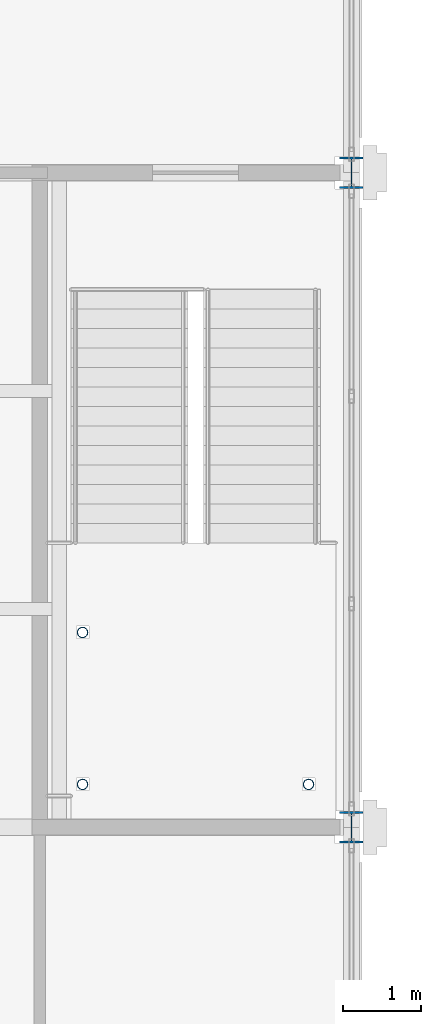
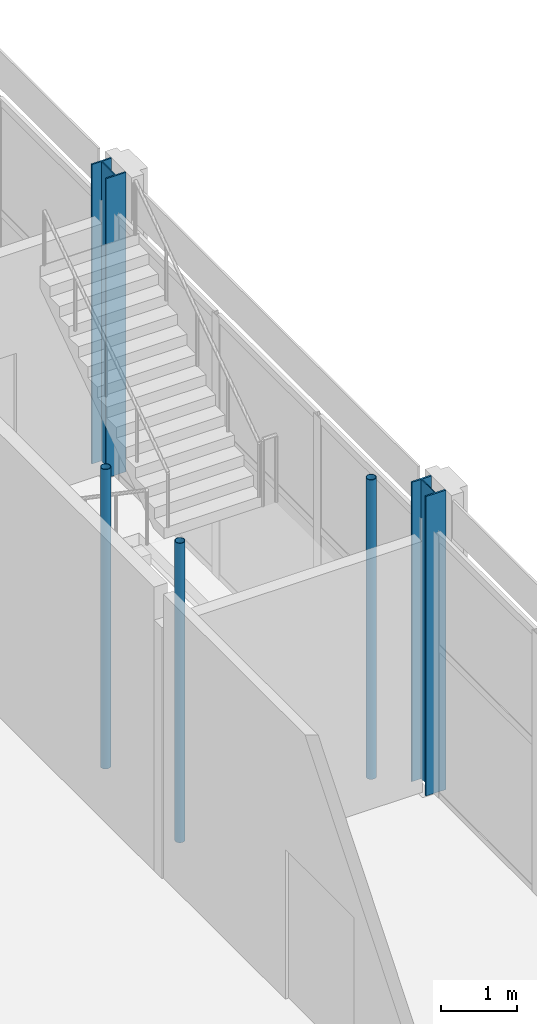
# One storey, part 12 of 167: 5 columns.
"""IFC4 building model written with IfcOpenShell, lengths in metres."""

from ifc_helpers import new_model, si_unit, direction, frame, origin, origin_2d, place, context, subcontext, project, spatial, hollow_circle, i_section, extrude, material, material_profile, profile_set, type_object, element, save


model = new_model("IFC4")

# Units and contexts
model_context = context("Model", 3, precision=1e-05, world=origin(), true_north=direction((0.0, 1.0)))
body_context = subcontext(model_context, "Body", "Model", "MODEL_VIEW")
ifc_project = project(units=[si_unit("LENGTHUNIT", "METRE"), si_unit("AREAUNIT", "SQUARE_METRE"), si_unit("VOLUMEUNIT", "CUBIC_METRE"), si_unit("PLANEANGLEUNIT", "RADIAN"), si_unit("MASSUNIT", "GRAM", prefix="KILO")], contexts=[model_context])

# Site, building, storey
site_placement = place(None, origin())
site = spatial("IfcSite", under=ifc_project, at=site_placement, CompositionType="ELEMENT")
building_placement = place(site_placement, origin())
building = spatial("IfcBuilding", under=site, at=building_placement, Name="Catenary Quay Ferry Terminal", CompositionType="ELEMENT")
storey_placement = place(building_placement, frame((0.0, 0.0, 6.0)))
storey = spatial("IfcBuildingStorey", under=building, at=storey_placement, Name="L01", CompositionType="ELEMENT", Elevation=6.0)

# Columns
ifc_material_1 = material(Name="Steel S355", Category="steel")
ifc_material_profile_1 = material_profile(ifc_material_1, i_section(OverallWidth=0.300048828125, OverallDepth=0.39990234375, WebThickness=0.013427734375, FlangeThickness=0.02392578125, at=origin_2d()), Name="HEB 400")
ifc_profile_set_1 = profile_set([ifc_material_profile_1], Name="Steel S355")
column_type_1 = type_object("IfcColumnType", Name="C2 HEB 400", PredefinedType="COLUMN", material=ifc_profile_set_1)
for number, where, z_axis, x_axis, name in (
    (1, (67.199951171875, 168.0, 0.0), (0.0, 0.0, 1.0), (1.0, 0.0, 0.0), "Column C-I21 L01"),
    (2, (67.199951171875, 176.39990234375, 0.0), (0.0, 0.0, 1.0), (1.0, 0.0, 0.0), "Column C-I22 L01"),
):
    element("IfcColumn", number, at=place(storey_placement, frame(where, z_axis=z_axis, x_axis=x_axis)), inside=storey, type_object=column_type_1, Name=name, PredefinedType="COLUMN", context=body_context, shape_type="SweptSolid", body=[
        extrude(i_section(OverallWidth=0.300048828125, OverallDepth=0.39990234375, WebThickness=0.013427734375, FlangeThickness=0.02392578125, at=origin_2d()), origin(), (0.0, 0.0, 1.0), 4.800048828125),
    ])
ifc_material_2 = material(Name="Steel S355", Category="steel")
ifc_material_profile_2 = material_profile(ifc_material_2, hollow_circle(Radius=0.06982421875, WallThickness=0.008056640625, at=origin_2d()), Name="CHS 139.7x8")
ifc_profile_set_2 = profile_set([ifc_material_profile_2], Name="Steel S355")
column_type_2 = type_object("IfcColumnType", Name="SP1 CHS 139.7x8", PredefinedType="COLUMN", material=ifc_profile_set_2)
for number, where, z_axis, x_axis, name in (
    (3, (63.75, 168.550048828125, 0.0), (0.0, 0.0, 1.0), (1.0, 0.0, 0.0), "Landing post HS3-L00 1"),
    (4, (66.64990234375, 168.550048828125, 0.0), (0.0, 0.0, 1.0), (1.0, 0.0, 0.0), "Landing post HS3-L00 2"),
    (5, (63.75, 170.5, 0.0), (0.0, 0.0, 1.0), (1.0, 0.0, 0.0), "Landing post HS3-L00 3"),
):
    element("IfcColumn", number, at=place(storey_placement, frame(where, z_axis=z_axis, x_axis=x_axis)), inside=storey, type_object=column_type_2, Name=name, PredefinedType="COLUMN", context=body_context, shape_type="SweptSolid", body=[
        extrude(hollow_circle(Radius=0.06982421875, WallThickness=0.008056640625, at=origin_2d()), origin(), (0.0, 0.0, 1.0), 4.800048828125),
    ])

save(model, "model.ifc")
